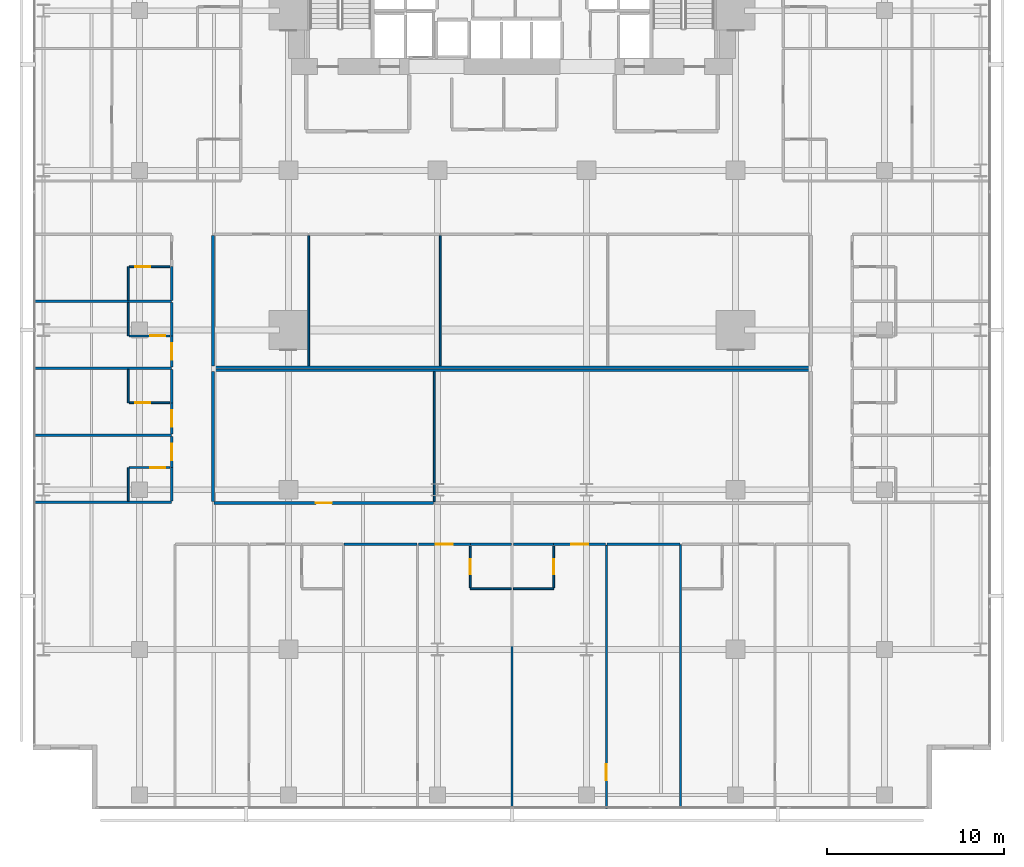
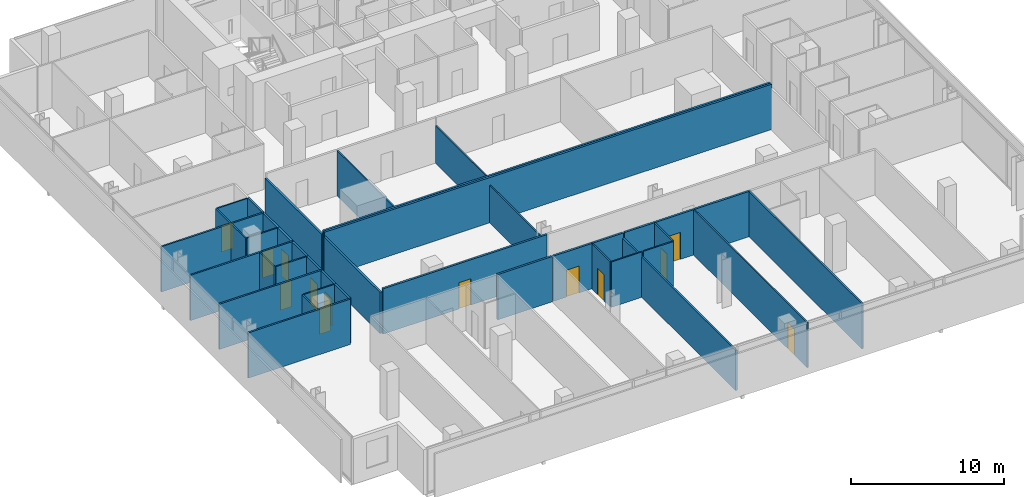
# One storey, part 33 of 40: 40 walls, 13 doors, 13 openings.
"""IFC4 building model written with IfcOpenShell, lengths in metres."""

from ifc_helpers import new_model, si_unit, direction, frame, frame_2d, origin, place, context, subcontext, project, spatial, rectangle, extrude, material, layer, layer_set, type_object, element, fill, save


model = new_model("IFC4")

# Units and contexts
model_context = context("Model", 3, precision=1e-05, world=origin(), true_north=direction((0.0, 1.0)))
body_context = subcontext(model_context, "Body", "Model", "MODEL_VIEW")
ifc_project = project(units=[si_unit("LENGTHUNIT", "METRE"), si_unit("AREAUNIT", "SQUARE_METRE"), si_unit("VOLUMEUNIT", "CUBIC_METRE"), si_unit("PLANEANGLEUNIT", "RADIAN"), si_unit("MASSUNIT", "GRAM", prefix="KILO")], contexts=[model_context])

# Site, building, storey
site_placement = place(None, origin())
site = spatial("IfcSite", under=ifc_project, at=site_placement, CompositionType="ELEMENT")
building_placement = place(site_placement, origin())
building = spatial("IfcBuilding", under=site, at=building_placement, Name="Maruvema Waterfront Hotel and Observation Tower", CompositionType="ELEMENT")
storey_placement = place(building_placement, frame((0.0, 0.0, 107.800048828125)))
storey = spatial("IfcBuildingStorey", under=building, at=storey_placement, Name="L26", CompositionType="ELEMENT", Elevation=107.800048828125)

# Walls
ifc_material_1 = material(Name="Twin-stud acoustic gypsum drywall", Category="gypsum")
ifc_layer_1 = layer(ifc_material_1, 0.14990234375, Name="Acoustic Corridor and Suite Demising Wall 150 mm")
ifc_layer_set_1 = layer_set([ifc_layer_1], Name="Twin-stud acoustic gypsum drywall")
wall_type_1 = type_object("IfcWallType", Name="Acoustic Corridor and Suite Demising Wall 150 mm", PredefinedType="PARTITIONING", material=ifc_layer_set_1)
wall_1_placement = place(storey_placement, frame((20.949951171875, 24.89990234375, 0.0), z_axis=(0.0, 0.0, 1.0), x_axis=(1.0, 0.0, 0.0)))
element("IfcWall", 1, at=wall_1_placement, inside=storey, type_object=wall_type_1, Name="L26 L26-INTN Back Wall 022", PredefinedType="PARTITIONING", context=body_context, shape_type="SweptSolid", body=[
    extrude(rectangle(XDim=33.699951171875, YDim=0.14990234375, at=frame_2d((16.85009765625, 0.0))), origin(), (0.0, 0.0, 1.0), 3.60986328125),
])
wall_2_placement = place(storey_placement, frame((20.949951171875, 24.97998046875, 0.0), z_axis=(0.0, 0.0, 1.0), x_axis=(0.0, 1.0, 0.0)))
element("IfcWall", 2, at=wall_2_placement, inside=storey, type_object=wall_type_1, Name="L26 L26-INTN West Wall 023", PredefinedType="PARTITIONING", context=body_context, shape_type="SweptSolid", body=[
    extrude(rectangle(XDim=7.340087890625, YDim=0.14990234375, at=frame_2d((3.669921875, 0.0))), origin(), (0.0, 0.0, 1.0), 3.29296875),
])
wall_3_placement = place(storey_placement, frame((20.949951171875, 24.739990234375, 0.0), z_axis=(0.0, 0.0, 1.0), x_axis=(1.0, 0.0, 0.0)))
element("IfcWall", 3, at=wall_3_placement, inside=storey, type_object=wall_type_1, Name="L26 L26-INTS Back Wall 032", PredefinedType="PARTITIONING", context=body_context, shape_type="SweptSolid", body=[
    extrude(rectangle(XDim=33.699951171875, YDim=0.14990234375, at=frame_2d((16.85009765625, 0.0))), origin(), (0.0, 0.0, 1.0), 3.60986328125),
])
wall_4_placement = place(storey_placement, frame((20.949951171875, 17.330078125, 0.0), z_axis=(0.0, 0.0, 1.0), x_axis=(0.0, 1.0, 0.0)))
element("IfcWall", 4, at=wall_4_placement, inside=storey, type_object=wall_type_1, Name="L26 L26-INTS West Wall 033", PredefinedType="PARTITIONING", context=body_context, shape_type="SweptSolid", body=[
    extrude(rectangle(XDim=7.329833984375, YDim=0.14990234375, at=frame_2d((3.6650390625, 0.0))), origin(), (0.0, 0.0, 1.0), 3.29296875),
])

# Wall, opening, door
wall_5_placement = place(storey_placement, frame((21.010009765625, 17.25, 0.0), z_axis=(0.0, 0.0, 1.0), x_axis=(1.0, 0.0, 0.0)))
wall_5 = element("IfcWall", 5, at=wall_5_placement, inside=storey, type_object=wall_type_1, Name="L26 L26-INTS Front 1 035", PredefinedType="PARTITIONING", context=body_context, shape_type="SweptSolid", body=[
    extrude(rectangle(XDim=12.37890625, YDim=0.14990234375, at=frame_2d((6.189453125, 0.0))), origin(), (0.0, 0.0, 1.0), 3.60986328125),
])
opening_1_placement = place(wall_5_placement, frame((5.739501953125, 0.0, 0.0)))
opening_1 = element("IfcOpeningElement", 6, at=opening_1_placement, cuts=wall_5, Name="Opening DR-090", PredefinedType="OPENING", context=body_context, shape_type="SweptSolid", body=[
    extrude(rectangle(XDim=0.89990234375, YDim=2.10009765625, at=frame_2d((0.449951171875, 1.050048828125))), frame((0.0, 0.0849609375, 0.0), z_axis=(0.0, -1.0, 0.0), x_axis=(1.0, 0.0, 0.0)), (0.0, 0.0, 1.0), 0.169921875),
])
ifc_material_2 = material(Name="Solid-core lacquered timber leaf", Category="wood")
door_type_1 = type_object("IfcDoorType", Name="Accessible Toilet and Room Door 900x2100 mm", OperationType="NOTDEFINED", PredefinedType="DOOR", material=ifc_material_2)
door_1_placement = place(opening_1_placement, frame((0.89990234375, 0.0, 0.0), z_axis=(0.0, 0.0, 1.0), x_axis=(-1.0, 0.0, 0.0)))
door_1 = element("IfcDoor", 7, at=door_1_placement, inside=storey, type_object=door_type_1, Name="L26 Private Dining Salon Door", OperationType="SINGLE_SWING_RIGHT", OverallHeight=2.10009765625, OverallWidth=0.89990234375, PredefinedType="DOOR", context=body_context, shape_type="SweptSolid", body=[
    extrude(rectangle(XDim=0.89990234375, YDim=2.10009765625, at=frame_2d((0.449951171875, 1.050048828125))), frame((0.0, 0.02490234375, 0.0), z_axis=(0.0, -1.0, 0.0), x_axis=(1.0, 0.0, 0.0)), (0.0, 0.0, 1.0), 0.050048828125),
])
fill(opening_1, door_1)

# Walls
wall_6_placement = place(storey_placement, frame((35.449951171875, 14.919921875, 0.0), z_axis=(0.0, 0.0, 1.0), x_axis=(1.0, 0.0, 0.0)))
element("IfcWall", 8, at=wall_6_placement, inside=storey, type_object=wall_type_1, Name="L26 Bath L26-S2 Back Wall 047", PredefinedType="PARTITIONING", context=body_context, shape_type="SweptSolid", body=[
    extrude(rectangle(XDim=2.330078125, YDim=0.14990234375, at=frame_2d((1.1650390625, 0.0))), origin(), (0.0, 0.0, 1.0), 3.60986328125),
])
wall_7_placement = place(storey_placement, frame((28.320068359375, 14.919921875, 0.0), z_axis=(0.0, 0.0, 1.0), x_axis=(1.0, 0.0, 0.0)))
element("IfcWall", 9, at=wall_7_placement, inside=storey, type_object=wall_type_1, Name="L26 Bedroom L26-S2 Back Wall 050", PredefinedType="PARTITIONING", context=body_context, shape_type="SweptSolid", body=[
    extrude(rectangle(XDim=4.119873046875, YDim=0.14990234375, at=frame_2d((2.06005859375, 0.0))), origin(), (0.0, 0.0, 1.0), 3.60986328125),
])

# Wall, opening, door
wall_8_placement = place(storey_placement, frame((32.52001953125, 14.919921875, 0.0), z_axis=(0.0, 0.0, 1.0), x_axis=(1.0, 0.0, 0.0)))
wall_8 = element("IfcWall", 10, at=wall_8_placement, inside=storey, type_object=wall_type_1, Name="L26 Unit L26-S2 Corridor Wall 051", PredefinedType="PARTITIONING", context=body_context, shape_type="SweptSolid", body=[
    extrude(rectangle(XDim=2.929931640625, YDim=0.14990234375, at=frame_2d((1.46484375, 0.0))), origin(), (0.0, 0.0, 1.0), 3.60986328125),
])
opening_2_placement = place(wall_8_placement, frame((0.989990234375, 0.0, 0.0)))
opening_2 = element("IfcOpeningElement", 11, at=opening_2_placement, cuts=wall_8, Name="Opening DR-095", PredefinedType="OPENING", context=body_context, shape_type="SweptSolid", body=[
    extrude(rectangle(XDim=0.949951171875, YDim=2.14990234375, at=frame_2d((0.47509765625, 1.074951171875))), frame((0.0, 0.0849609375, 0.0), z_axis=(0.0, -1.0, 0.0), x_axis=(1.0, 0.0, 0.0)), (0.0, 0.0, 1.0), 0.169921875),
])
ifc_material_3 = material(Name="Acoustic solid-core hardwood timber leaf", Category="wood")
door_type_2 = type_object("IfcDoorType", Name="Guestroom Entrance Fire Door 950x2150 mm", OperationType="NOTDEFINED", PredefinedType="DOOR", material=ifc_material_3)
door_2_placement = place(opening_2_placement, frame((0.949951171875, 0.0, 0.0), z_axis=(0.0, 0.0, 1.0), x_axis=(-1.0, 0.0, 0.0)))
door_2 = element("IfcDoor", 12, at=door_2_placement, inside=storey, type_object=door_type_2, Name="L26 Unit L26-S2 Entrance Door", OperationType="SINGLE_SWING_RIGHT", OverallHeight=2.14990234375, OverallWidth=0.949951171875, PredefinedType="DOOR", context=body_context, shape_type="SweptSolid", body=[
    extrude(rectangle(XDim=0.949951171875, YDim=2.14990234375, at=frame_2d((0.47509765625, 1.074951171875))), frame((0.0, 0.02490234375, 0.0), z_axis=(0.0, -1.0, 0.0), x_axis=(1.0, 0.0, 0.0)), (0.0, 0.0, 1.0), 0.050048828125),
])
fill(opening_2, door_2)

# Wall
wall_9_placement = place(storey_placement, frame((37.8798828125, 14.919921875, 0.0), z_axis=(0.0, 0.0, 1.0), x_axis=(1.0, 0.0, 0.0)))
element("IfcWall", 13, at=wall_9_placement, inside=storey, type_object=wall_type_1, Name="L26 Bath L26-S3 Back Wall 054", PredefinedType="PARTITIONING", context=body_context, shape_type="SweptSolid", body=[
    extrude(rectangle(XDim=2.27001953125, YDim=0.14990234375, at=frame_2d((1.135009765625, 0.0))), origin(), (0.0, 0.0, 1.0), 3.60986328125),
])

# Wall, opening, door
wall_10_placement = place(storey_placement, frame((40.14990234375, 14.919921875, 0.0), z_axis=(0.0, 0.0, 1.0), x_axis=(1.0, 0.0, 0.0)))
wall_10 = element("IfcWall", 14, at=wall_10_placement, inside=storey, type_object=wall_type_1, Name="L26 Unit L26-S3 Corridor Wall 057", PredefinedType="PARTITIONING", context=body_context, shape_type="SweptSolid", body=[
    extrude(rectangle(XDim=2.93017578125, YDim=0.14990234375, at=frame_2d((1.465087890625, 0.0))), origin(), (0.0, 0.0, 1.0), 3.60986328125),
])
opening_3_placement = place(wall_10_placement, frame((0.989990234375, 0.0, 0.0)))
opening_3 = element("IfcOpeningElement", 15, at=opening_3_placement, cuts=wall_10, Name="Opening DR-095", PredefinedType="OPENING", context=body_context, shape_type="SweptSolid", body=[
    extrude(rectangle(XDim=0.949951171875, YDim=2.14990234375, at=frame_2d((0.47509765625, 1.074951171875))), frame((0.0, 0.0849609375, 0.0), z_axis=(0.0, -1.0, 0.0), x_axis=(1.0, 0.0, 0.0)), (0.0, 0.0, 1.0), 0.169921875),
])
door_3_placement = place(opening_3_placement, frame((0.949951171875, 0.0, 0.0), z_axis=(0.0, 0.0, 1.0), x_axis=(-1.0, 0.0, 0.0)))
door_3 = element("IfcDoor", 16, at=door_3_placement, inside=storey, type_object=door_type_2, Name="L26 Unit L26-S3 Entrance Door", OperationType="SINGLE_SWING_LEFT", OverallHeight=2.14990234375, OverallWidth=0.949951171875, PredefinedType="DOOR", context=body_context, shape_type="SweptSolid", body=[
    extrude(rectangle(XDim=0.949951171875, YDim=2.14990234375, at=frame_2d((0.47509765625, 1.074951171875))), frame((0.0, 0.02490234375, 0.0), z_axis=(0.0, -1.0, 0.0), x_axis=(1.0, 0.0, 0.0)), (0.0, 0.0, 1.0), 0.050048828125),
])
fill(opening_3, door_3)

# Walls
wall_11_placement = place(storey_placement, frame((43.159912109375, 14.919921875, 0.0), z_axis=(0.0, 0.0, 1.0), x_axis=(1.0, 0.0, 0.0)))
element("IfcWall", 17, at=wall_11_placement, inside=storey, type_object=wall_type_1, Name="L26 Bedroom L26-S3 Back Wall 058", PredefinedType="PARTITIONING", context=body_context, shape_type="SweptSolid", body=[
    extrude(rectangle(XDim=4.1201171875, YDim=0.14990234375, at=frame_2d((2.06005859375, 0.0))), origin(), (0.0, 0.0, 1.0), 3.60986328125),
])
wall_12_placement = place(storey_placement, frame((18.6201171875, 17.360107421875, 0.0), z_axis=(0.0, 0.0, 1.0), x_axis=(0.0, 1.0, 0.0)))
element("IfcWall", 18, at=wall_12_placement, inside=storey, type_object=wall_type_1, Name="L26 Bath L26-W1 Wall 071", PredefinedType="PARTITIONING", context=body_context, shape_type="SweptSolid", body=[
    extrude(rectangle(XDim=1.889892578125, YDim=0.14990234375, at=frame_2d((0.94482421875, 0.0))), origin(), (0.0, 0.0, 1.0), 3.60986328125),
])

# Wall, opening, door
wall_13_placement = place(storey_placement, frame((18.6201171875, 19.25, 0.0), z_axis=(0.0, 0.0, 1.0), x_axis=(0.0, 1.0, 0.0)))
wall_13 = element("IfcWall", 19, at=wall_13_placement, inside=storey, type_object=wall_type_1, Name="L26 Room L26-W1 Corridor Wall 072", PredefinedType="PARTITIONING", context=body_context, shape_type="SweptSolid", body=[
    extrude(rectangle(XDim=1.760009765625, YDim=0.14990234375, at=frame_2d((0.8798828125, 0.0))), origin(), (0.0, 0.0, 1.0), 3.60986328125),
])
opening_4_placement = place(wall_13_placement, frame((0.405029296875, 0.0, 0.0)))
opening_4 = element("IfcOpeningElement", 20, at=opening_4_placement, cuts=wall_13, Name="Opening DR-095", PredefinedType="OPENING", context=body_context, shape_type="SweptSolid", body=[
    extrude(rectangle(XDim=0.949951171875, YDim=2.14990234375, at=frame_2d((0.47509765625, 1.074951171875))), frame((0.0, 0.0849609375, 0.0), z_axis=(0.0, -1.0, 0.0), x_axis=(1.0, 0.0, 0.0)), (0.0, 0.0, 1.0), 0.169921875),
])
door_4_placement = place(opening_4_placement, origin())
door_4 = element("IfcDoor", 21, at=door_4_placement, inside=storey, type_object=door_type_2, Name="L26 Room L26-W1 Entrance Door", OperationType="SINGLE_SWING_LEFT", OverallHeight=2.14990234375, OverallWidth=0.949951171875, PredefinedType="DOOR", context=body_context, shape_type="SweptSolid", body=[
    extrude(rectangle(XDim=0.949951171875, YDim=2.14990234375, at=frame_2d((0.47509765625, 1.074951171875))), frame((0.0, 0.02490234375, 0.0), z_axis=(0.0, -1.0, 0.0), x_axis=(1.0, 0.0, 0.0)), (0.0, 0.0, 1.0), 0.050048828125),
])
fill(opening_4, door_4)

wall_14_placement = place(storey_placement, frame((18.6201171875, 21.1298828125, 0.0), z_axis=(0.0, 0.0, 1.0), x_axis=(0.0, 1.0, 0.0)))
wall_14 = element("IfcWall", 22, at=wall_14_placement, inside=storey, type_object=wall_type_1, Name="L26 Room L26-W2 Corridor Wall 081", PredefinedType="PARTITIONING", context=body_context, shape_type="SweptSolid", body=[
    extrude(rectangle(XDim=1.77001953125, YDim=0.14990234375, at=frame_2d((0.885009765625, 0.0))), origin(), (0.0, 0.0, 1.0), 3.60986328125),
])
opening_5_placement = place(wall_14_placement, frame((0.409912109375, 0.0, 0.0)))
opening_5 = element("IfcOpeningElement", 23, at=opening_5_placement, cuts=wall_14, Name="Opening DR-095", PredefinedType="OPENING", context=body_context, shape_type="SweptSolid", body=[
    extrude(rectangle(XDim=0.949951171875, YDim=2.14990234375, at=frame_2d((0.47509765625, 1.074951171875))), frame((0.0, 0.0849609375, 0.0), z_axis=(0.0, -1.0, 0.0), x_axis=(1.0, 0.0, 0.0)), (0.0, 0.0, 1.0), 0.169921875),
])
door_5_placement = place(opening_5_placement, origin())
door_5 = element("IfcDoor", 24, at=door_5_placement, inside=storey, type_object=door_type_2, Name="L26 Room L26-W2 Entrance Door", OperationType="SINGLE_SWING_LEFT", OverallHeight=2.14990234375, OverallWidth=0.949951171875, PredefinedType="DOOR", context=body_context, shape_type="SweptSolid", body=[
    extrude(rectangle(XDim=0.949951171875, YDim=2.14990234375, at=frame_2d((0.47509765625, 1.074951171875))), frame((0.0, 0.02490234375, 0.0), z_axis=(0.0, -1.0, 0.0), x_axis=(1.0, 0.0, 0.0)), (0.0, 0.0, 1.0), 0.050048828125),
])
fill(opening_5, door_5)

# Wall
wall_15_placement = place(storey_placement, frame((18.6201171875, 22.89990234375, 0.0), z_axis=(0.0, 0.0, 1.0), x_axis=(0.0, 1.0, 0.0)))
element("IfcWall", 25, at=wall_15_placement, inside=storey, type_object=wall_type_1, Name="L26 Bath L26-W2 Wall 082", PredefinedType="PARTITIONING", context=body_context, shape_type="SweptSolid", body=[
    extrude(rectangle(XDim=1.89013671875, YDim=0.14990234375, at=frame_2d((0.945068359375, 0.0))), origin(), (0.0, 0.0, 1.0), 3.60986328125),
])

# Wall, opening, door
wall_16_placement = place(storey_placement, frame((18.6201171875, 24.909912109375, 0.0), z_axis=(0.0, 0.0, 1.0), x_axis=(0.0, 1.0, 0.0)))
wall_16 = element("IfcWall", 26, at=wall_16_placement, inside=storey, type_object=wall_type_1, Name="L26 Room L26-W3 Corridor Wall 091", PredefinedType="PARTITIONING", context=body_context, shape_type="SweptSolid", body=[
    extrude(rectangle(XDim=1.760009765625, YDim=0.14990234375, at=frame_2d((0.8798828125, 0.0))), origin(), (0.0, 0.0, 1.0), 3.60986328125),
])
opening_6_placement = place(wall_16_placement, frame((0.405029296875, 0.0, 0.0)))
opening_6 = element("IfcOpeningElement", 27, at=opening_6_placement, cuts=wall_16, Name="Opening DR-095", PredefinedType="OPENING", context=body_context, shape_type="SweptSolid", body=[
    extrude(rectangle(XDim=0.949951171875, YDim=2.14990234375, at=frame_2d((0.47509765625, 1.074951171875))), frame((0.0, 0.0849609375, 0.0), z_axis=(0.0, -1.0, 0.0), x_axis=(1.0, 0.0, 0.0)), (0.0, 0.0, 1.0), 0.169921875),
])
door_6_placement = place(opening_6_placement, origin())
door_6 = element("IfcDoor", 28, at=door_6_placement, inside=storey, type_object=door_type_2, Name="L26 Room L26-W3 Entrance Door", OperationType="SINGLE_SWING_LEFT", OverallHeight=2.14990234375, OverallWidth=0.949951171875, PredefinedType="DOOR", context=body_context, shape_type="SweptSolid", body=[
    extrude(rectangle(XDim=0.949951171875, YDim=2.14990234375, at=frame_2d((0.47509765625, 1.074951171875))), frame((0.0, 0.02490234375, 0.0), z_axis=(0.0, -1.0, 0.0), x_axis=(1.0, 0.0, 0.0)), (0.0, 0.0, 1.0), 0.050048828125),
])
fill(opening_6, door_6)

# Walls
for number, where, z_axis, x_axis, name in (
    (29, (18.6201171875, 26.669921875, 0.0), (0.0, 0.0, 1.0), (0.0, 1.0, 0.0), "L26 Bath L26-W3 Wall 092"),
    (30, (18.6201171875, 28.679931640625, 0.0), (0.0, 0.0, 1.0), (0.0, 1.0, 0.0), "L26 Bath L26-W4 Wall 101"),
):
    element("IfcWall", number, at=place(storey_placement, frame(where, z_axis=z_axis, x_axis=x_axis)), inside=storey, type_object=wall_type_1, Name=name, PredefinedType="PARTITIONING", context=body_context, shape_type="SweptSolid", body=[
        extrude(rectangle(XDim=1.89013671875, YDim=0.14990234375, at=frame_2d((0.945068359375, 0.0))), origin(), (0.0, 0.0, 1.0), 3.60986328125),
    ])
ifc_material_4 = material(Name="Moisture-resistant cement-board drywall", Category="gypsum")
ifc_layer_2 = layer(ifc_material_4, 0.10009765625, Name="En-Suite Moisture-Resistant Partition 100 mm")
ifc_layer_set_2 = layer_set([ifc_layer_2], Name="Moisture-resistant cement-board drywall")
wall_type_2 = type_object("IfcWallType", Name="En-Suite Moisture-Resistant Partition 100 mm", PredefinedType="PARTITIONING", material=ifc_layer_set_2)
wall_17_placement = place(storey_placement, frame((26.342041015625, 24.97998046875, 0.0), z_axis=(0.0, 0.0, 1.0), x_axis=(0.0, 1.0, 0.0)))
element("IfcWall", 31, at=wall_17_placement, inside=storey, type_object=wall_type_2, Name="L26 L26-INTN Split 1 026", PredefinedType="PARTITIONING", context=body_context, shape_type="SweptSolid", body=[
    extrude(rectangle(XDim=7.340087890625, YDim=0.10009765625, at=frame_2d((3.669921875, 0.0))), origin(), (0.0, 0.0, 1.0), 3.60986328125),
])
wall_18_placement = place(storey_placement, frame((33.756103515625, 24.97998046875, 0.0), z_axis=(0.0, 0.0, 1.0), x_axis=(0.0, 1.0, 0.0)))
element("IfcWall", 32, at=wall_18_placement, inside=storey, type_object=wall_type_2, Name="L26 L26-INTN Split 2 028", PredefinedType="PARTITIONING", context=body_context, shape_type="SweptSolid", body=[
    extrude(rectangle(XDim=7.340087890625, YDim=0.10009765625, at=frame_2d((3.669921875, 0.0))), origin(), (0.0, 0.0, 1.0), 2.9990234375),
])
wall_19_placement = place(storey_placement, frame((33.4189453125, 17.330078125, 0.0), z_axis=(0.0, 0.0, 1.0), x_axis=(0.0, 1.0, 0.0)))
element("IfcWall", 33, at=wall_19_placement, inside=storey, type_object=wall_type_2, Name="L26 L26-INTS Split 1 036", PredefinedType="PARTITIONING", context=body_context, shape_type="SweptSolid", body=[
    extrude(rectangle(XDim=7.329833984375, YDim=0.10009765625, at=frame_2d((3.6650390625, 0.0))), origin(), (0.0, 0.0, 1.0), 2.9990234375),
])
wall_20_placement = place(storey_placement, frame((35.449951171875, 12.419921875, 0.0), z_axis=(0.0, 0.0, 1.0), x_axis=(1.0, 0.0, 0.0)))
element("IfcWall", 34, at=wall_20_placement, inside=storey, type_object=wall_type_2, Name="L26 En-Suite L26-S2 South 048", PredefinedType="PARTITIONING", context=body_context, shape_type="SweptSolid", body=[
    extrude(rectangle(XDim=2.31005859375, YDim=0.10009765625, at=frame_2d((1.155029296875, 0.0))), origin(), (0.0, 0.0, 1.0), 3.60986328125),
])

# Wall, opening, door
wall_21_placement = place(storey_placement, frame((35.449951171875, 12.47998046875, 0.0), z_axis=(0.0, 0.0, 1.0), x_axis=(0.0, 1.0, 0.0)))
wall_21 = element("IfcWall", 35, at=wall_21_placement, inside=storey, type_object=wall_type_2, Name="L26 En-Suite L26-S2 West 049", PredefinedType="PARTITIONING", context=body_context, shape_type="SweptSolid", body=[
    extrude(rectangle(XDim=2.340087890625, YDim=0.10009765625, at=frame_2d((1.169921875, 0.0))), origin(), (0.0, 0.0, 1.0), 3.60986328125),
])
opening_7_placement = place(wall_21_placement, frame((0.7451171875, 0.0, 0.0)))
opening_7 = element("IfcOpeningElement", 36, at=opening_7_placement, cuts=wall_21, Name="Opening DR-085", PredefinedType="OPENING", context=body_context, shape_type="SweptSolid", body=[
    extrude(rectangle(XDim=0.85009765625, YDim=2.10009765625, at=frame_2d((0.425048828125, 1.050048828125))), frame((0.0, 0.06005859375, 0.0), z_axis=(0.0, -1.0, 0.0), x_axis=(1.0, 0.0, 0.0)), (0.0, 0.0, 1.0), 0.1201171875),
])
ifc_material_5 = material(Name="Moisture-resistant solid timber leaf", Category="wood")
door_type_3 = type_object("IfcDoorType", Name="En-Suite Bathroom Door 850x2100 mm", OperationType="NOTDEFINED", PredefinedType="DOOR", material=ifc_material_5)
door_7_placement = place(opening_7_placement, origin())
door_7 = element("IfcDoor", 37, at=door_7_placement, inside=storey, type_object=door_type_3, Name="L26 En-Suite L26-S2 Door", OperationType="SINGLE_SWING_LEFT", OverallHeight=2.10009765625, OverallWidth=0.85009765625, PredefinedType="DOOR", context=body_context, shape_type="SweptSolid", body=[
    extrude(rectangle(XDim=0.85009765625, YDim=2.10009765625, at=frame_2d((0.425048828125, 1.050048828125))), frame((0.0, 0.02490234375, 0.0), z_axis=(0.0, -1.0, 0.0), x_axis=(1.0, 0.0, 0.0)), (0.0, 0.0, 1.0), 0.050048828125),
])
fill(opening_7, door_7)

# Wall
wall_22_placement = place(storey_placement, frame((37.8798828125, 12.419921875, 0.0), z_axis=(0.0, 0.0, 1.0), x_axis=(1.0, 0.0, 0.0)))
element("IfcWall", 38, at=wall_22_placement, inside=storey, type_object=wall_type_2, Name="L26 En-Suite L26-S3 South 055", PredefinedType="PARTITIONING", context=body_context, shape_type="SweptSolid", body=[
    extrude(rectangle(XDim=2.27001953125, YDim=0.10009765625, at=frame_2d((1.135009765625, 0.0))), origin(), (0.0, 0.0, 1.0), 3.60986328125),
])

# Wall, opening, door
wall_23_placement = place(storey_placement, frame((40.14990234375, 12.47998046875, 0.0), z_axis=(0.0, 0.0, 1.0), x_axis=(0.0, 1.0, 0.0)))
wall_23 = element("IfcWall", 39, at=wall_23_placement, inside=storey, type_object=wall_type_2, Name="L26 En-Suite L26-S3 East 056", PredefinedType="PARTITIONING", context=body_context, shape_type="SweptSolid", body=[
    extrude(rectangle(XDim=2.340087890625, YDim=0.10009765625, at=frame_2d((1.169921875, 0.0))), origin(), (0.0, 0.0, 1.0), 3.60986328125),
])
opening_8_placement = place(wall_23_placement, frame((0.7451171875, 0.0, 0.0)))
opening_8 = element("IfcOpeningElement", 40, at=opening_8_placement, cuts=wall_23, Name="Opening DR-085", PredefinedType="OPENING", context=body_context, shape_type="SweptSolid", body=[
    extrude(rectangle(XDim=0.85009765625, YDim=2.10009765625, at=frame_2d((0.425048828125, 1.050048828125))), frame((0.0, 0.06005859375, 0.0), z_axis=(0.0, -1.0, 0.0), x_axis=(1.0, 0.0, 0.0)), (0.0, 0.0, 1.0), 0.1201171875),
])
door_8_placement = place(opening_8_placement, frame((0.85009765625, 0.0, 0.0), z_axis=(0.0, 0.0, 1.0), x_axis=(-1.0, 0.0, 0.0)))
door_8 = element("IfcDoor", 41, at=door_8_placement, inside=storey, type_object=door_type_3, Name="L26 En-Suite L26-S3 Door", OperationType="SINGLE_SWING_RIGHT", OverallHeight=2.10009765625, OverallWidth=0.85009765625, PredefinedType="DOOR", context=body_context, shape_type="SweptSolid", body=[
    extrude(rectangle(XDim=0.85009765625, YDim=2.10009765625, at=frame_2d((0.425048828125, 1.050048828125))), frame((0.0, 0.02490234375, 0.0), z_axis=(0.0, -1.0, 0.0), x_axis=(1.0, 0.0, 0.0)), (0.0, 0.0, 1.0), 0.050048828125),
])
fill(opening_8, door_8)

wall_24_placement = place(storey_placement, frame((43.1201171875, 0.030029296875, 0.0), z_axis=(0.0, 0.0, 1.0), x_axis=(0.0, 1.0, 0.0)))
wall_24 = element("IfcWall", 42, at=wall_24_placement, inside=storey, type_object=wall_type_2, Name="L26 Suite L26-S3 Split 059", PredefinedType="PARTITIONING", context=body_context, shape_type="SweptSolid", body=[
    extrude(rectangle(XDim=14.830078125, YDim=0.10009765625, at=frame_2d((7.4150390625, 0.0))), origin(), (0.0, 0.0, 1.0), 3.60986328125),
])
opening_9_placement = place(wall_24_placement, frame((1.60009765625, 0.0, 0.0)))
opening_9 = element("IfcOpeningElement", 43, at=opening_9_placement, cuts=wall_24, Name="Opening DR-090", PredefinedType="OPENING", context=body_context, shape_type="SweptSolid", body=[
    extrude(rectangle(XDim=0.89990234375, YDim=2.10009765625, at=frame_2d((0.449951171875, 1.050048828125))), frame((0.0, 0.06005859375, 0.0), z_axis=(0.0, -1.0, 0.0), x_axis=(1.0, 0.0, 0.0)), (0.0, 0.0, 1.0), 0.1201171875),
])
door_9_placement = place(opening_9_placement, origin())
door_9 = element("IfcDoor", 44, at=door_9_placement, inside=storey, type_object=door_type_1, Name="L26 Suite L26-S3 Bedroom Door", OperationType="SINGLE_SWING_RIGHT", OverallHeight=2.10009765625, OverallWidth=0.89990234375, PredefinedType="DOOR", context=body_context, shape_type="SweptSolid", body=[
    extrude(rectangle(XDim=0.89990234375, YDim=2.10009765625, at=frame_2d((0.449951171875, 1.050048828125))), frame((0.0, 0.02490234375, 0.0), z_axis=(0.0, -1.0, 0.0), x_axis=(1.0, 0.0, 0.0)), (0.0, 0.0, 1.0), 0.050048828125),
])
fill(opening_9, door_9)

# Wall
wall_25_placement = place(storey_placement, frame((16.169921875, 17.360107421875, 0.0), z_axis=(0.0, 0.0, 1.0), x_axis=(0.0, 1.0, 0.0)))
element("IfcWall", 45, at=wall_25_placement, inside=storey, type_object=wall_type_2, Name="L26 En-Suite L26-W1 W 073", PredefinedType="PARTITIONING", context=body_context, shape_type="SweptSolid", body=[
    extrude(rectangle(XDim=1.889892578125, YDim=0.10009765625, at=frame_2d((0.94482421875, 0.0))), origin(), (0.0, 0.0, 1.0), 3.60986328125),
])

# Wall, opening, door
wall_26_placement = place(storey_placement, frame((16.219970703125, 19.25, 0.0), z_axis=(0.0, 0.0, 1.0), x_axis=(1.0, 0.0, 0.0)))
wall_26 = element("IfcWall", 46, at=wall_26_placement, inside=storey, type_object=wall_type_2, Name="L26 En-Suite L26-W1 N 074", PredefinedType="PARTITIONING", context=body_context, shape_type="SweptSolid", body=[
    extrude(rectangle(XDim=2.300048828125, YDim=0.10009765625, at=frame_2d((1.14990234375, 0.0))), origin(), (0.0, 0.0, 1.0), 3.60986328125),
])
opening_10_placement = place(wall_26_placement, frame((1.18994140625, 0.0, 0.0)))
opening_10 = element("IfcOpeningElement", 47, at=opening_10_placement, cuts=wall_26, Name="Opening DR-085", PredefinedType="OPENING", context=body_context, shape_type="SweptSolid", body=[
    extrude(rectangle(XDim=0.85009765625, YDim=2.10009765625, at=frame_2d((0.425048828125, 1.050048828125))), frame((0.0, 0.06005859375, 0.0), z_axis=(0.0, -1.0, 0.0), x_axis=(1.0, 0.0, 0.0)), (0.0, 0.0, 1.0), 0.1201171875),
])
door_10_placement = place(opening_10_placement, origin())
door_10 = element("IfcDoor", 48, at=door_10_placement, inside=storey, type_object=door_type_3, Name="L26 En-Suite L26-W1 Door", OperationType="SINGLE_SWING_RIGHT", OverallHeight=2.10009765625, OverallWidth=0.85009765625, PredefinedType="DOOR", context=body_context, shape_type="SweptSolid", body=[
    extrude(rectangle(XDim=0.85009765625, YDim=2.10009765625, at=frame_2d((0.425048828125, 1.050048828125))), frame((0.0, 0.02490234375, 0.0), z_axis=(0.0, -1.0, 0.0), x_axis=(1.0, 0.0, 0.0)), (0.0, 0.0, 1.0), 0.050048828125),
])
fill(opening_10, door_10)

# Wall
wall_27_placement = place(storey_placement, frame((16.169921875, 22.89990234375, 0.0), z_axis=(0.0, 0.0, 1.0), x_axis=(0.0, 1.0, 0.0)))
element("IfcWall", 49, at=wall_27_placement, inside=storey, type_object=wall_type_2, Name="L26 En-Suite L26-W2 W 083", PredefinedType="PARTITIONING", context=body_context, shape_type="SweptSolid", body=[
    extrude(rectangle(XDim=1.89013671875, YDim=0.10009765625, at=frame_2d((0.945068359375, 0.0))), origin(), (0.0, 0.0, 1.0), 3.60986328125),
])

# Wall, opening, door
wall_28_placement = place(storey_placement, frame((16.219970703125, 22.89990234375, 0.0), z_axis=(0.0, 0.0, 1.0), x_axis=(1.0, 0.0, 0.0)))
wall_28 = element("IfcWall", 50, at=wall_28_placement, inside=storey, type_object=wall_type_2, Name="L26 En-Suite L26-W2 S 084", PredefinedType="PARTITIONING", context=body_context, shape_type="SweptSolid", body=[
    extrude(rectangle(XDim=2.300048828125, YDim=0.10009765625, at=frame_2d((1.14990234375, 0.0))), origin(), (0.0, 0.0, 1.0), 3.60986328125),
])
opening_11_placement = place(wall_28_placement, frame((0.35009765625, 0.0, 0.0)))
opening_11 = element("IfcOpeningElement", 51, at=opening_11_placement, cuts=wall_28, Name="Opening DR-085", PredefinedType="OPENING", context=body_context, shape_type="SweptSolid", body=[
    extrude(rectangle(XDim=0.85009765625, YDim=2.10009765625, at=frame_2d((0.425048828125, 1.050048828125))), frame((0.0, 0.06005859375, 0.0), z_axis=(0.0, -1.0, 0.0), x_axis=(1.0, 0.0, 0.0)), (0.0, 0.0, 1.0), 0.1201171875),
])
door_11_placement = place(opening_11_placement, frame((0.85009765625, 0.0, 0.0), z_axis=(0.0, 0.0, 1.0), x_axis=(-1.0, 0.0, 0.0)))
door_11 = element("IfcDoor", 52, at=door_11_placement, inside=storey, type_object=door_type_3, Name="L26 En-Suite L26-W2 Door", OperationType="SINGLE_SWING_RIGHT", OverallHeight=2.10009765625, OverallWidth=0.85009765625, PredefinedType="DOOR", context=body_context, shape_type="SweptSolid", body=[
    extrude(rectangle(XDim=0.85009765625, YDim=2.10009765625, at=frame_2d((0.425048828125, 1.050048828125))), frame((0.0, 0.02490234375, 0.0), z_axis=(0.0, -1.0, 0.0), x_axis=(1.0, 0.0, 0.0)), (0.0, 0.0, 1.0), 0.050048828125),
])
fill(opening_11, door_11)

# Wall
wall_29_placement = place(storey_placement, frame((16.169921875, 26.669921875, 0.0), z_axis=(0.0, 0.0, 1.0), x_axis=(0.0, 1.0, 0.0)))
element("IfcWall", 53, at=wall_29_placement, inside=storey, type_object=wall_type_2, Name="L26 En-Suite L26-W3 W 093", PredefinedType="PARTITIONING", context=body_context, shape_type="SweptSolid", body=[
    extrude(rectangle(XDim=1.89013671875, YDim=0.10009765625, at=frame_2d((0.945068359375, 0.0))), origin(), (0.0, 0.0, 1.0), 3.60986328125),
])

# Wall, opening, door
wall_30_placement = place(storey_placement, frame((16.219970703125, 26.669921875, 0.0), z_axis=(0.0, 0.0, 1.0), x_axis=(1.0, 0.0, 0.0)))
wall_30 = element("IfcWall", 54, at=wall_30_placement, inside=storey, type_object=wall_type_2, Name="L26 En-Suite L26-W3 S 094", PredefinedType="PARTITIONING", context=body_context, shape_type="SweptSolid", body=[
    extrude(rectangle(XDim=2.300048828125, YDim=0.10009765625, at=frame_2d((1.14990234375, 0.0))), origin(), (0.0, 0.0, 1.0), 3.60986328125),
])
opening_12_placement = place(wall_30_placement, frame((1.18994140625, 0.0, 0.0)))
opening_12 = element("IfcOpeningElement", 55, at=opening_12_placement, cuts=wall_30, Name="Opening DR-085", PredefinedType="OPENING", context=body_context, shape_type="SweptSolid", body=[
    extrude(rectangle(XDim=0.85009765625, YDim=2.10009765625, at=frame_2d((0.425048828125, 1.050048828125))), frame((0.0, 0.06005859375, 0.0), z_axis=(0.0, -1.0, 0.0), x_axis=(1.0, 0.0, 0.0)), (0.0, 0.0, 1.0), 0.1201171875),
])
door_12_placement = place(opening_12_placement, frame((0.85009765625, 0.0, 0.0), z_axis=(0.0, 0.0, 1.0), x_axis=(-1.0, 0.0, 0.0)))
door_12 = element("IfcDoor", 56, at=door_12_placement, inside=storey, type_object=door_type_3, Name="L26 En-Suite L26-W3 Door", OperationType="SINGLE_SWING_RIGHT", OverallHeight=2.10009765625, OverallWidth=0.85009765625, PredefinedType="DOOR", context=body_context, shape_type="SweptSolid", body=[
    extrude(rectangle(XDim=0.85009765625, YDim=2.10009765625, at=frame_2d((0.425048828125, 1.050048828125))), frame((0.0, 0.02490234375, 0.0), z_axis=(0.0, -1.0, 0.0), x_axis=(1.0, 0.0, 0.0)), (0.0, 0.0, 1.0), 0.050048828125),
])
fill(opening_12, door_12)

# Wall
wall_31_placement = place(storey_placement, frame((16.169921875, 28.679931640625, 0.0), z_axis=(0.0, 0.0, 1.0), x_axis=(0.0, 1.0, 0.0)))
element("IfcWall", 57, at=wall_31_placement, inside=storey, type_object=wall_type_2, Name="L26 En-Suite L26-W4 W 103", PredefinedType="PARTITIONING", context=body_context, shape_type="SweptSolid", body=[
    extrude(rectangle(XDim=1.89013671875, YDim=0.10009765625, at=frame_2d((0.945068359375, 0.0))), origin(), (0.0, 0.0, 1.0), 3.60986328125),
])

# Wall, opening, door
wall_32_placement = place(storey_placement, frame((16.219970703125, 30.570068359375, 0.0), z_axis=(0.0, 0.0, 1.0), x_axis=(1.0, 0.0, 0.0)))
wall_32 = element("IfcWall", 58, at=wall_32_placement, inside=storey, type_object=wall_type_2, Name="L26 En-Suite L26-W4 N 104", PredefinedType="PARTITIONING", context=body_context, shape_type="SweptSolid", body=[
    extrude(rectangle(XDim=2.300048828125, YDim=0.10009765625, at=frame_2d((1.14990234375, 0.0))), origin(), (0.0, 0.0, 1.0), 3.60986328125),
])
opening_13_placement = place(wall_32_placement, frame((0.35009765625, 0.0, 0.0)))
opening_13 = element("IfcOpeningElement", 59, at=opening_13_placement, cuts=wall_32, Name="Opening DR-085", PredefinedType="OPENING", context=body_context, shape_type="SweptSolid", body=[
    extrude(rectangle(XDim=0.85009765625, YDim=2.10009765625, at=frame_2d((0.425048828125, 1.050048828125))), frame((0.0, 0.06005859375, 0.0), z_axis=(0.0, -1.0, 0.0), x_axis=(1.0, 0.0, 0.0)), (0.0, 0.0, 1.0), 0.1201171875),
])
door_13_placement = place(opening_13_placement, origin())
door_13 = element("IfcDoor", 60, at=door_13_placement, inside=storey, type_object=door_type_3, Name="L26 En-Suite L26-W4 Door", OperationType="SINGLE_SWING_RIGHT", OverallHeight=2.10009765625, OverallWidth=0.85009765625, PredefinedType="DOOR", context=body_context, shape_type="SweptSolid", body=[
    extrude(rectangle(XDim=0.85009765625, YDim=2.10009765625, at=frame_2d((0.425048828125, 1.050048828125))), frame((0.0, 0.02490234375, 0.0), z_axis=(0.0, -1.0, 0.0), x_axis=(1.0, 0.0, 0.0)), (0.0, 0.0, 1.0), 0.050048828125),
])
fill(opening_13, door_13)

# Walls
ifc_material_6 = material(Name="Acoustic gypsum plasterboard drywall", Category="gypsum")
ifc_layer_3 = layer(ifc_material_6, 0.125, Name="Guestroom Acoustic Demising Wall 125 mm")
ifc_layer_set_3 = layer_set([ifc_layer_3], Name="Acoustic gypsum plasterboard drywall")
wall_type_3 = type_object("IfcWallType", Name="Guestroom Acoustic Demising Wall 125 mm", PredefinedType="PARTITIONING", material=ifc_layer_set_3)
wall_33_placement = place(storey_placement, frame((37.800048828125, 0.10009765625, 0.0), z_axis=(0.0, 0.0, 1.0), x_axis=(0.0, 1.0, 0.0)))
element("IfcWall", 61, at=wall_33_placement, inside=storey, type_object=wall_type_3, Name="L26 S Demising 3 053", PredefinedType="PARTITIONING", context=body_context, shape_type="SweptSolid", body=[
    extrude(rectangle(XDim=14.81982421875, YDim=0.125, at=frame_2d((7.409912109375, 0.0))), origin(), (0.0, 0.0, 1.0), 3.20703125),
])
wall_34_placement = place(storey_placement, frame((47.300048828125, 0.10009765625, 0.0), z_axis=(0.0, 0.0, 1.0), x_axis=(0.0, 1.0, 0.0)))
element("IfcWall", 62, at=wall_34_placement, inside=storey, type_object=wall_type_3, Name="L26 S Demising 4 060", PredefinedType="PARTITIONING", context=body_context, shape_type="SweptSolid", body=[
    extrude(rectangle(XDim=14.81982421875, YDim=0.125, at=frame_2d((7.409912109375, 0.0))), origin(), (0.0, 0.0, 1.0), 3.60986328125),
])
for number, where, z_axis, x_axis, name in (
    (63, (10.89990234375, 17.300048828125, 0.0), (0.0, 0.0, 1.0), (1.0, 0.0, 0.0), "L26 W Bot End 067"),
    (64, (10.89990234375, 21.070068359375, 0.0), (0.0, 0.0, 1.0), (1.0, 0.0, 0.0), "L26 W Demising 2 079"),
    (65, (10.89990234375, 24.85009765625, 0.0), (0.0, 0.0, 1.0), (1.0, 0.0, 0.0), "L26 W Demising 3 089"),
    (66, (10.89990234375, 28.6201171875, 0.0), (0.0, 0.0, 1.0), (1.0, 0.0, 0.0), "L26 W Demising 4 099"),
):
    element("IfcWall", number, at=place(storey_placement, frame(where, z_axis=z_axis, x_axis=x_axis)), inside=storey, type_object=wall_type_3, Name=name, PredefinedType="PARTITIONING", context=body_context, shape_type="SweptSolid", body=[
        extrude(rectangle(XDim=7.72021484375, YDim=0.125, at=frame_2d((3.860107421875, 0.0))), origin(), (0.0, 0.0, 1.0), 3.60986328125),
    ])

save(model, "model.ifc")
